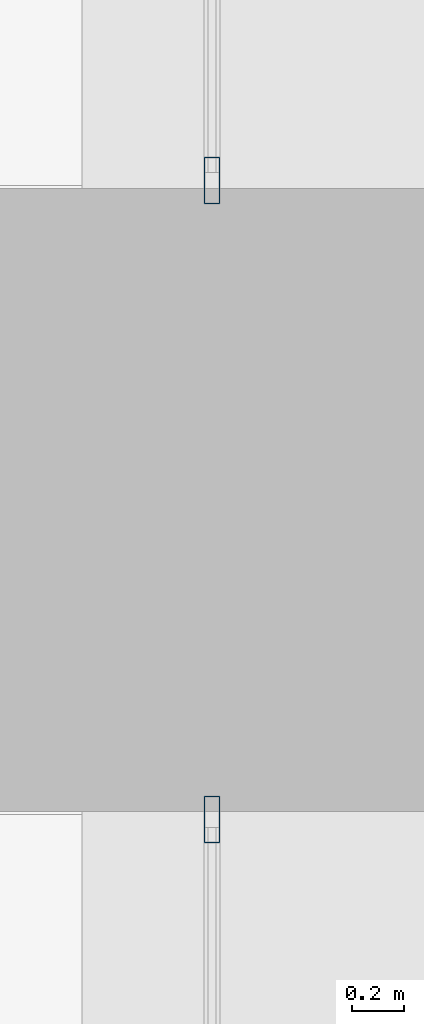
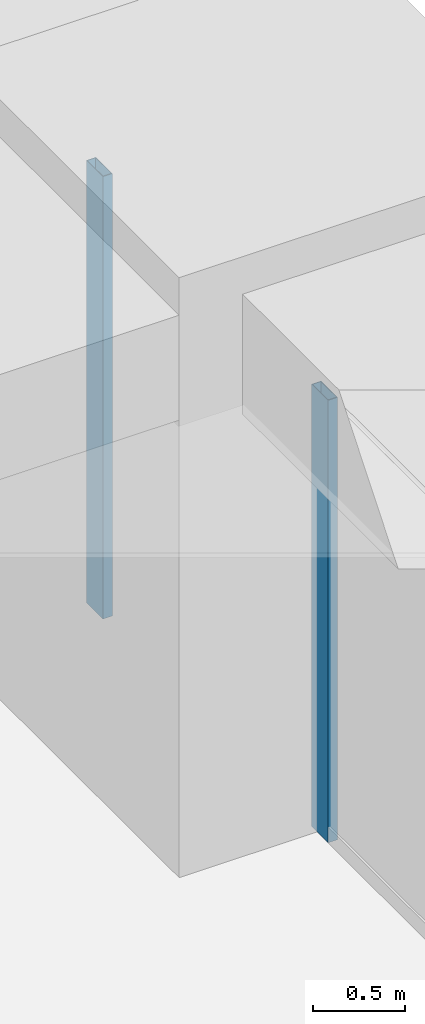
# One storey, part 22 of 45: 2 members, 2 elements without a shape of their own.
"""IFC4 building model written with IfcOpenShell, lengths in metres."""

from ifc_helpers import new_model, si_unit, direction, frame, origin, origin_2d, place, context, subcontext, project, spatial, hollow_rectangle, extrude, material, material_profile, profile_set, type_object, element, aggregate, save


model = new_model("IFC4")

# Units and contexts
model_context = context("Model", 3, precision=1e-05, world=origin(), true_north=direction((0.0, 1.0)))
body_context = subcontext(model_context, "Body", "Model", "MODEL_VIEW")
ifc_project = project(units=[si_unit("LENGTHUNIT", "METRE"), si_unit("AREAUNIT", "SQUARE_METRE"), si_unit("VOLUMEUNIT", "CUBIC_METRE"), si_unit("PLANEANGLEUNIT", "RADIAN"), si_unit("MASSUNIT", "GRAM", prefix="KILO")], contexts=[model_context])

# Site, building, storey
site_placement = place(None, origin())
site = spatial("IfcSite", under=ifc_project, at=site_placement, CompositionType="ELEMENT")
building_placement = place(site_placement, origin())
building = spatial("IfcBuilding", under=site, at=building_placement, Name="Zorevar Civic Tower", CompositionType="ELEMENT")
storey_placement = place(building_placement, frame((0.0, 0.0, 71.800048828125)))
storey = spatial("IfcBuildingStorey", under=building, at=storey_placement, Name="L17", CompositionType="ELEMENT", Elevation=71.800048828125)

# Curtain wall, member
ifc_material_1 = material(Name="Dark grey solar-control glass in black aluminium frame", Category="aluminium")
curtain_wall_type = type_object("IfcCurtainWallType", Name="Curtain wall CW2 low zone", PredefinedType="NOTDEFINED", material=ifc_material_1)
curtain_wall_1_placement = place(storey_placement, origin())
curtain_wall_1 = element("IfcCurtainWall", 1, at=curtain_wall_1_placement, inside=storey, type_object=curtain_wall_type, Name="CW2 L17", PredefinedType="NOTDEFINED")
ifc_material_2 = material(Name="Aluminium, black anodised", Category="aluminium")
ifc_material_profile = material_profile(ifc_material_2, hollow_rectangle(XDim=0.06005859375, YDim=0.179931640625, WallThickness=0.00390625, at=origin_2d()), Name="AL 180x60x4")
ifc_profile_set = profile_set([ifc_material_profile], Name="Aluminium, black anodised")
member_type = type_object("IfcMemberType", Name="CW2 mullion AL 180x60x4", PredefinedType="MULLION", material=ifc_profile_set)
member_1_placement = place(storey_placement, frame((62.699951171875, 25.77001953125, 0.0), z_axis=(0.0, 0.0, 1.0), x_axis=(-1.0, 0.0, 0.0)))
member_1 = element("IfcMember", 2, at=member_1_placement, type_object=member_type, Name="CW2 mullion 3", PredefinedType="MULLION", context=body_context, shape_type="SweptSolid", body=[
    extrude(hollow_rectangle(XDim=0.06005859375, YDim=0.179931640625, WallThickness=0.00390625, at=origin_2d()), origin(), (0.0, 0.0, 1.0), 2.949951171875),
])
aggregate(curtain_wall_1, [member_1])

curtain_wall_2_placement = place(storey_placement, origin())
curtain_wall_2 = element("IfcCurtainWall", 3, at=curtain_wall_2_placement, inside=storey, type_object=curtain_wall_type, Name="CW2 L17", PredefinedType="NOTDEFINED")
member_2_placement = place(storey_placement, frame((62.699951171875, 28.22998046875, 0.0), z_axis=(0.0, 0.0, 1.0), x_axis=(-1.0, 0.0, 0.0)))
member_2 = element("IfcMember", 4, at=member_2_placement, type_object=member_type, Name="CW2 mullion 1", PredefinedType="MULLION", context=body_context, shape_type="SweptSolid", body=[
    extrude(hollow_rectangle(XDim=0.06005859375, YDim=0.179931640625, WallThickness=0.00390625, at=origin_2d()), origin(), (0.0, 0.0, 1.0), 2.949951171875),
])
aggregate(curtain_wall_2, [member_2])

save(model, "model.ifc")
